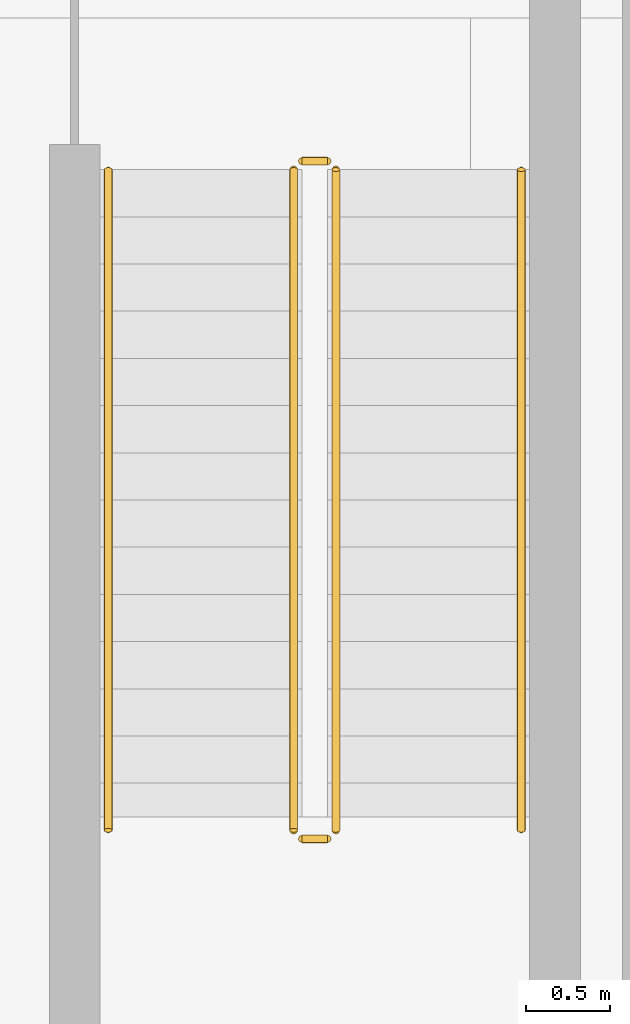
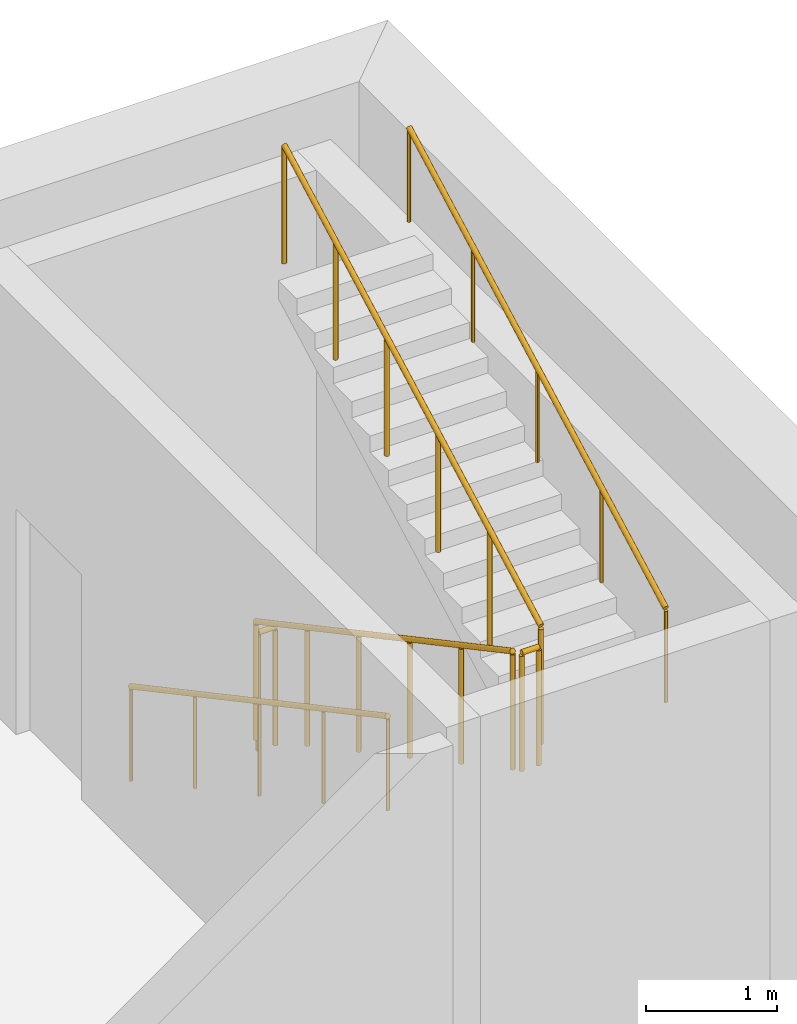
# One storey, part 22 of 23: 6 railings.
"""IFC4 building model written with IfcOpenShell, lengths in metres."""

from ifc_helpers import new_model, si_unit, direction, frame, origin, origin_2d, place, context, subcontext, project, spatial, circle, extrude, material, type_object, element, save


model = new_model("IFC4")

# Units and contexts
model_context = context("Model", 3, precision=1e-05, world=origin(), true_north=direction((0.0, 1.0)))
body_context = subcontext(model_context, "Body", "Model", "MODEL_VIEW")
ifc_project = project(units=[si_unit("LENGTHUNIT", "METRE"), si_unit("AREAUNIT", "SQUARE_METRE"), si_unit("VOLUMEUNIT", "CUBIC_METRE"), si_unit("PLANEANGLEUNIT", "RADIAN"), si_unit("MASSUNIT", "GRAM", prefix="KILO")], contexts=[model_context])

# Site, building, storey
site_placement = place(None, origin())
site = spatial("IfcSite", under=ifc_project, at=site_placement, CompositionType="ELEMENT")
building_placement = place(site_placement, origin())
building = spatial("IfcBuilding", under=site, at=building_placement, Name="Trine Commons Tower", CompositionType="ELEMENT")
storey_placement = place(building_placement, frame((0.0, 0.0, -9.0)))
storey = spatial("IfcBuildingStorey", under=building, at=storey_placement, Name="B2", CompositionType="ELEMENT", Elevation=-9.0)

# Railings
ifc_material = material(Name="Structural steel ASTM A500 Gr C", Category="steel")
railing_type_1 = type_object("IfcRailingType", Name="Steel guard 1120 mm, ASTM A500 Gr C", PredefinedType="GUARDRAIL", material=ifc_material)
railing_1_placement = place(storey_placement, frame((136.25, 102.10009765625, 0.14990234375)))
element("IfcRailing", 1, at=railing_1_placement, inside=storey, type_object=railing_type_1, Name="B2 STB4 stair guard 1", PredefinedType="GUARDRAIL", context=body_context, shape_type="SweptSolid", body=[
    extrude(circle(Radius=0.02392578125, at=origin_2d()), frame((0.0, 0.0, 1.09619140625), z_axis=(0.0, -0.881479153919, 0.472222935917), x_axis=(1.0, 0.0, 0.0)), (0.0, 0.0, 1.0), 4.447265625),
    extrude(circle(Radius=0.02099609375, at=origin_2d()), origin(), (0.0, 0.0, 1.0), 1.072021484375),
    extrude(circle(Radius=0.02099609375, at=origin_2d()), frame((0.0, -0.783935546875, 0.419921875)), (0.0, 0.0, 1.0), 1.072021484375),
    extrude(circle(Radius=0.02099609375, at=origin_2d()), frame((0.0, -1.568115234375, 0.840087890625)), (0.0, 0.0, 1.0), 1.072021484375),
    extrude(circle(Radius=0.02099609375, at=origin_2d()), frame((0.0, -2.35205078125, 1.260009765625)), (0.0, 0.0, 1.0), 1.072021484375),
    extrude(circle(Radius=0.02099609375, at=origin_2d()), frame((0.0, -3.13623046875, 1.68017578125)), (0.0, 0.0, 1.0), 1.072021484375),
    extrude(circle(Radius=0.02099609375, at=origin_2d()), frame((0.0, -3.920166015625, 2.10009765625)), (0.0, 0.0, 1.0), 1.072021484375),
])
railing_2_placement = place(storey_placement, frame((136.300048828125, 98.1298828125, 2.25)))
element("IfcRailing", 2, at=railing_2_placement, inside=storey, type_object=railing_type_1, Name="B2 STB4 stair guard 2", PredefinedType="GUARDRAIL", context=body_context, shape_type="SweptSolid", body=[
    extrude(circle(Radius=0.02392578125, at=origin_2d()), frame((0.0, 0.0, 1.09619140625), z_axis=(1.0, 0.0, 0.0), x_axis=(0.0, 1.0, 0.0)), (0.0, 0.0, 1.0), 0.14990234375),
    extrude(circle(Radius=0.02099609375, at=origin_2d()), origin(), (0.0, 0.0, 1.0), 1.072021484375),
    extrude(circle(Radius=0.02099609375, at=origin_2d()), frame((0.14990234375, 0.0, 0.0)), (0.0, 0.0, 1.0), 1.072021484375),
])
railing_3_placement = place(storey_placement, frame((136.5, 98.179931640625, 2.39990234375)))
element("IfcRailing", 3, at=railing_3_placement, inside=storey, type_object=railing_type_1, Name="B2 STB4 stair guard 3", PredefinedType="GUARDRAIL", context=body_context, shape_type="SweptSolid", body=[
    extrude(circle(Radius=0.02392578125, at=origin_2d()), frame((0.0, 0.0, 1.09619140625), z_axis=(0.0, 0.881479153919, 0.472222935917), x_axis=(-1.0, 0.0, 0.0)), (0.0, 0.0, 1.0), 4.447265625),
    extrude(circle(Radius=0.02099609375, at=origin_2d()), origin(), (0.0, 0.0, 1.0), 1.072021484375),
    extrude(circle(Radius=0.02099609375, at=origin_2d()), frame((0.0, 0.783935546875, 0.419921875)), (0.0, 0.0, 1.0), 1.072021484375),
    extrude(circle(Radius=0.02099609375, at=origin_2d()), frame((0.0, 1.568115234375, 0.840087890625)), (0.0, 0.0, 1.0), 1.072021484375),
    extrude(circle(Radius=0.02099609375, at=origin_2d()), frame((0.0, 2.35205078125, 1.260009765625)), (0.0, 0.0, 1.0), 1.072021484375),
    extrude(circle(Radius=0.02099609375, at=origin_2d()), frame((0.0, 3.13623046875, 1.68017578125)), (0.0, 0.0, 1.0), 1.072021484375),
    extrude(circle(Radius=0.02099609375, at=origin_2d()), frame((0.0, 3.920166015625, 2.10009765625)), (0.0, 0.0, 1.0), 1.072021484375),
])
railing_4_placement = place(storey_placement, frame((136.300048828125, 102.14990234375, 0.0)))
element("IfcRailing", 4, at=railing_4_placement, inside=storey, type_object=railing_type_1, Name="B2 STB4 stair guard 4", PredefinedType="GUARDRAIL", context=body_context, shape_type="SweptSolid", body=[
    extrude(circle(Radius=0.02392578125, at=origin_2d()), frame((0.0, 0.0, 1.09619140625), z_axis=(1.0, 0.0, 0.0), x_axis=(0.0, 1.0, 0.0)), (0.0, 0.0, 1.0), 0.14990234375),
    extrude(circle(Radius=0.02099609375, at=origin_2d()), origin(), (0.0, 0.0, 1.0), 1.072021484375),
    extrude(circle(Radius=0.02099609375, at=origin_2d()), frame((0.14990234375, 0.0, 0.0)), (0.0, 0.0, 1.0), 1.072021484375),
])
railing_type_2 = type_object("IfcRailingType", Name="Steel handrail 900 mm, ASTM A500 Gr C", PredefinedType="HANDRAIL", material=ifc_material)
railing_5_placement = place(storey_placement, frame((135.14990234375, 102.10009765625, 0.14990234375)))
element("IfcRailing", 5, at=railing_5_placement, inside=storey, type_object=railing_type_2, Name="B2 STB4 stair handrail 1", PredefinedType="HANDRAIL", context=body_context, shape_type="SweptSolid", body=[
    extrude(circle(Radius=0.02392578125, at=origin_2d()), frame((0.0, 0.0, 0.8759765625), z_axis=(0.0, -0.881479153919, 0.472222935917), x_axis=(1.0, 0.0, 0.0)), (0.0, 0.0, 1.0), 4.447265625),
    extrude(circle(Radius=0.01513671875, at=origin_2d()), origin(), (0.0, 0.0, 1.0), 0.851806640625),
    extrude(circle(Radius=0.01513671875, at=origin_2d()), frame((0.0, -0.97998046875, 0.52490234375)), (0.0, 0.0, 1.0), 0.851806640625),
    extrude(circle(Radius=0.01513671875, at=origin_2d()), frame((0.0, -1.9599609375, 1.050048828125)), (0.0, 0.0, 1.0), 0.851806640625),
    extrude(circle(Radius=0.01513671875, at=origin_2d()), frame((0.0, -2.940185546875, 1.5751953125)), (0.0, 0.0, 1.0), 0.851806640625),
    extrude(circle(Radius=0.01513671875, at=origin_2d()), frame((0.0, -3.920166015625, 2.10009765625)), (0.0, 0.0, 1.0), 0.851806640625),
])
railing_6_placement = place(storey_placement, frame((137.60009765625, 98.179931640625, 2.39990234375)))
element("IfcRailing", 6, at=railing_6_placement, inside=storey, type_object=railing_type_2, Name="B2 STB4 stair handrail 2", PredefinedType="HANDRAIL", context=body_context, shape_type="SweptSolid", body=[
    extrude(circle(Radius=0.02392578125, at=origin_2d()), frame((0.0, 0.0, 0.8759765625), z_axis=(0.0, 0.881479153919, 0.472222935917), x_axis=(-1.0, 0.0, 0.0)), (0.0, 0.0, 1.0), 4.447265625),
    extrude(circle(Radius=0.01513671875, at=origin_2d()), origin(), (0.0, 0.0, 1.0), 0.851806640625),
    extrude(circle(Radius=0.01513671875, at=origin_2d()), frame((0.0, 0.97998046875, 0.52490234375)), (0.0, 0.0, 1.0), 0.851806640625),
    extrude(circle(Radius=0.01513671875, at=origin_2d()), frame((0.0, 1.9599609375, 1.050048828125)), (0.0, 0.0, 1.0), 0.851806640625),
    extrude(circle(Radius=0.01513671875, at=origin_2d()), frame((0.0, 2.940185546875, 1.5751953125)), (0.0, 0.0, 1.0), 0.851806640625),
    extrude(circle(Radius=0.01513671875, at=origin_2d()), frame((0.0, 3.920166015625, 2.10009765625)), (0.0, 0.0, 1.0), 0.851806640625),
])

save(model, "model.ifc")
